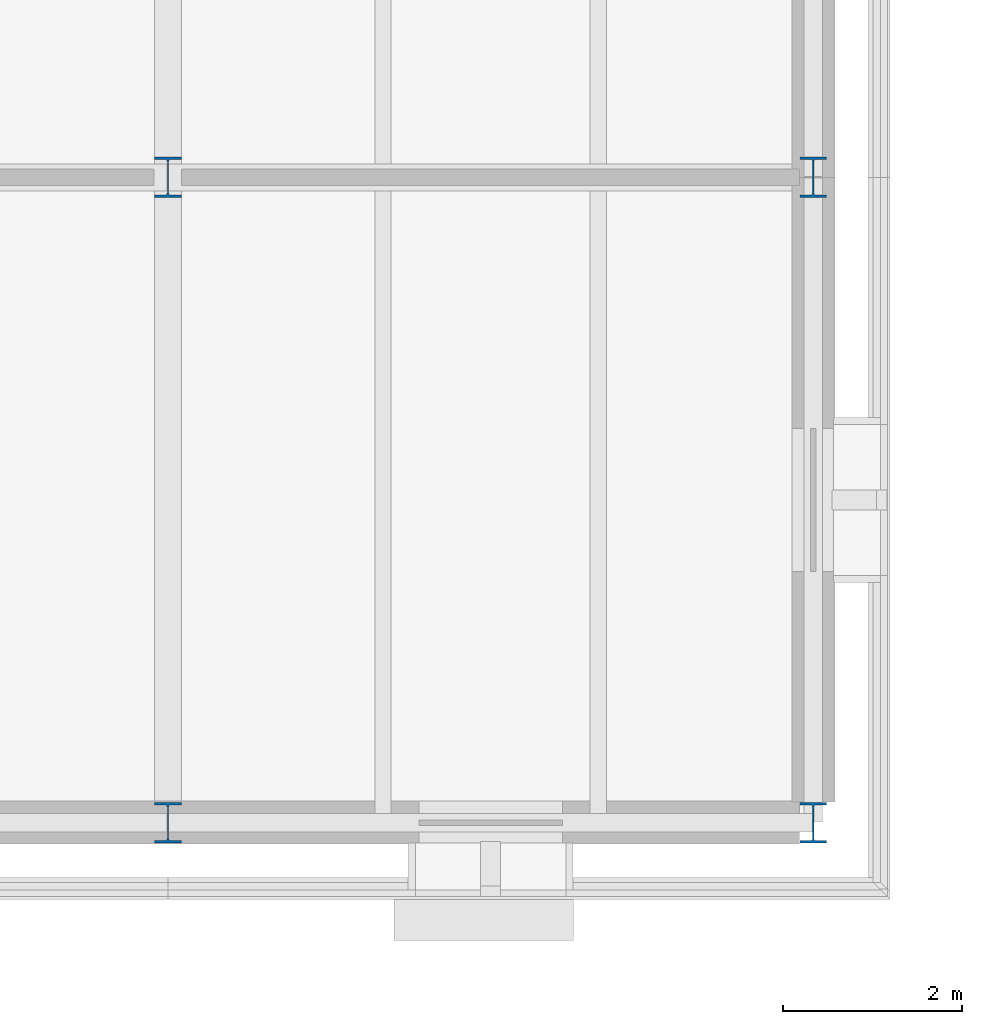
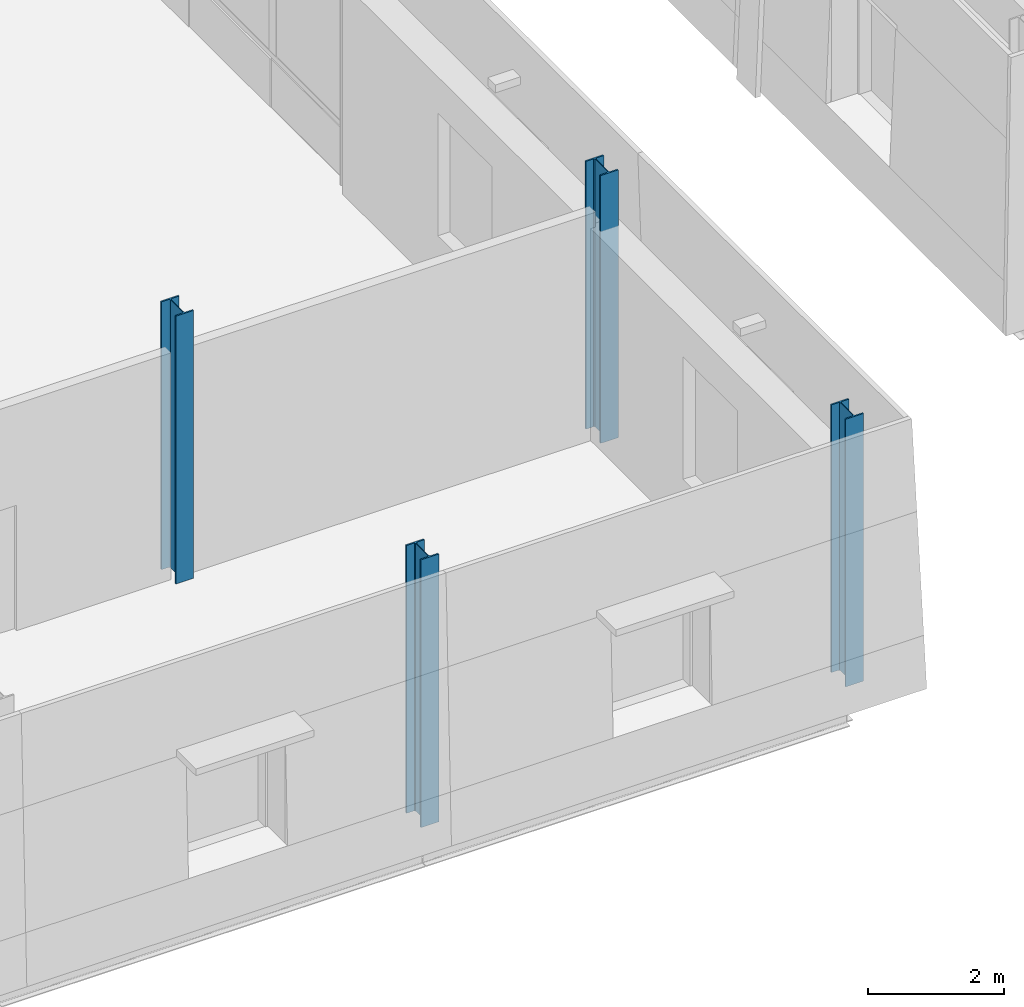
# One storey, part 4 of 121: 4 columns.
"""IFC4 building model written with IfcOpenShell, lengths in metres."""

from ifc_helpers import new_model, si_unit, direction, frame, origin, origin_2d, place, context, subcontext, project, spatial, i_section, extrude, material, material_profile, profile_set, type_object, element, save


model = new_model("IFC4")

# Units and contexts
model_context = context("Model", 3, precision=1e-05, world=origin(), true_north=direction((0.0, 1.0)))
body_context = subcontext(model_context, "Body", "Model", "MODEL_VIEW")
ifc_project = project(units=[si_unit("LENGTHUNIT", "METRE"), si_unit("AREAUNIT", "SQUARE_METRE"), si_unit("VOLUMEUNIT", "CUBIC_METRE"), si_unit("PLANEANGLEUNIT", "RADIAN"), si_unit("MASSUNIT", "GRAM", prefix="KILO")], contexts=[model_context])

# Site, building, storey
site_placement = place(None, origin())
site = spatial("IfcSite", under=ifc_project, at=site_placement, CompositionType="ELEMENT")
building_placement = place(site_placement, origin())
building = spatial("IfcBuilding", under=site, at=building_placement, Name="Narikvali Park Central Library", CompositionType="ELEMENT")
storey_placement = place(building_placement, frame((0.0, 0.0, 5.39990234375)))
storey = spatial("IfcBuildingStorey", under=building, at=storey_placement, Name="L01", CompositionType="ELEMENT", Elevation=5.39990234375)

# Columns
ifc_material = material(Name="Steel S355", Category="steel")
ifc_material_profile = material_profile(ifc_material, i_section(OverallWidth=0.300048828125, OverallDepth=0.449951171875, WebThickness=0.013916015625, FlangeThickness=0.02587890625, FilletRadius=0.027099609375, at=origin_2d()), Name="HEB 450")
ifc_profile_set = profile_set([ifc_material_profile], Name="Steel S355")
column_type = type_object("IfcColumnType", Name="Steel Column HEB450", PredefinedType="COLUMN", material=ifc_profile_set)
for number, where, z_axis, x_axis, name in (
    (1, (50.39990234375, 50.39990234375, 0.0), (0.0, 0.0, 1.0), (1.0, 0.0, 0.0), "V4 L01 Column (50.4,50.4)"),
    (2, (50.39990234375, 57.60009765625, 0.0), (0.0, 0.0, 1.0), (1.0, 0.0, 0.0), "V4 L01 Column (50.4,57.6)"),
    (3, (57.60009765625, 50.39990234375, 0.0), (0.0, 0.0, 1.0), (1.0, 0.0, 0.0), "V4 L01 Column (57.6,50.4)"),
    (4, (57.60009765625, 57.60009765625, 0.0), (0.0, 0.0, 1.0), (1.0, 0.0, 0.0), "V4 L01 Column (57.6,57.6)"),
):
    element("IfcColumn", number, at=place(storey_placement, frame(where, z_axis=z_axis, x_axis=x_axis)), inside=storey, type_object=column_type, Name=name, PredefinedType="COLUMN", context=body_context, shape_type="SweptSolid", body=[
        extrude(i_section(OverallWidth=0.300048828125, OverallDepth=0.449951171875, WebThickness=0.013916015625, FlangeThickness=0.02587890625, FilletRadius=0.027099609375, at=origin_2d()), origin(), (0.0, 0.0, 1.0), 4.800048828125),
    ])

save(model, "model.ifc")
